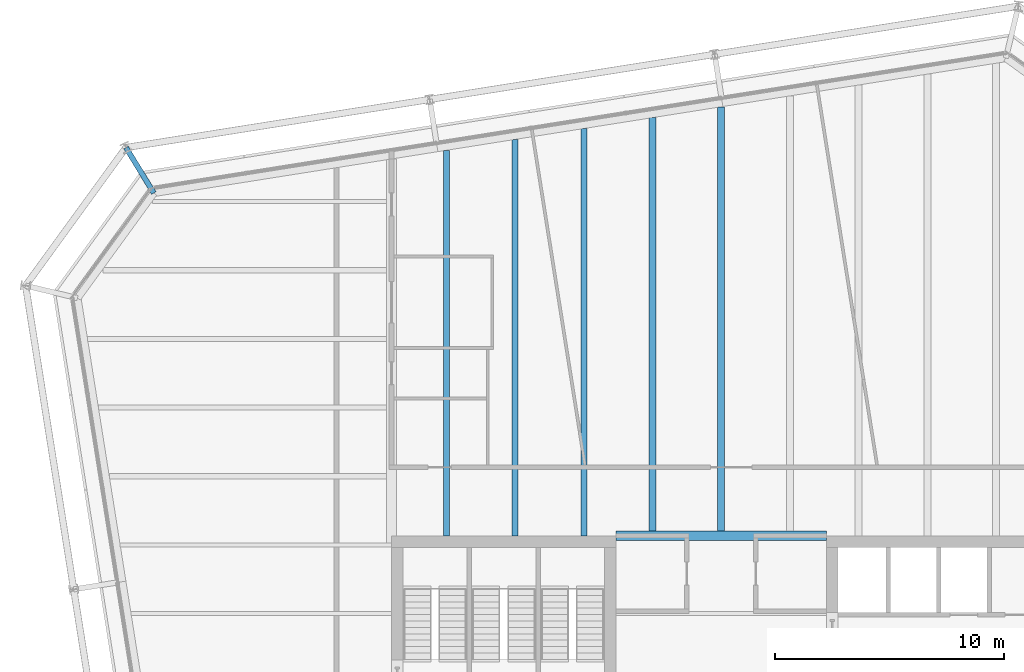
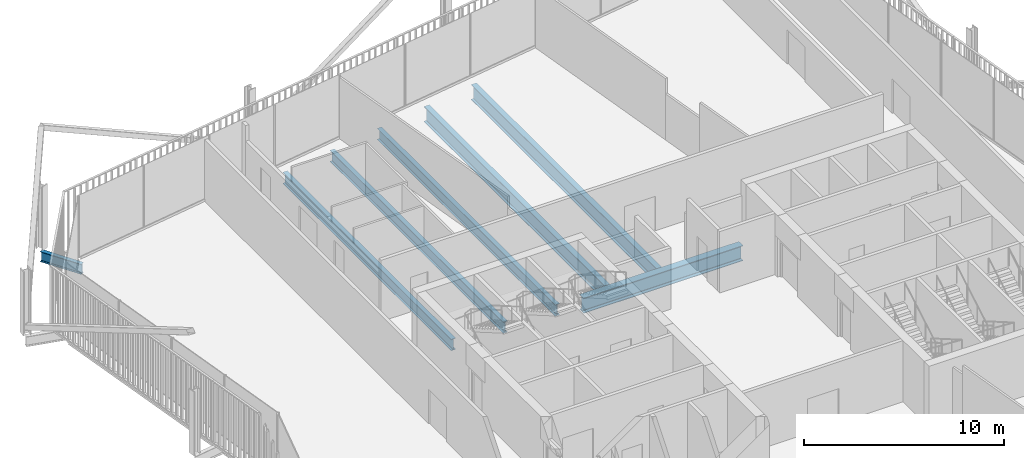
# One storey, part 12 of 21: 7 beams.
"""IFC4 building model written with IfcOpenShell, lengths in metres."""

import ifcopenshell
import ifcopenshell.guid

model = None  # the IFC model being written
_history = None  # IfcOwnerHistory: only IFC2X3 demands one
_inside = {}  # id of a spatial element -> (the spatial element, [elements in it])
_under = {}  # id of a project, library or spatial element -> (it, [spatial elements below it])
_declared = {}  # id of a project -> (the project, [libraries it declares])
_typed = {}  # id of a type object -> (the type object, [elements of that type])
_made_of = {}  # id of a material, layer set ... -> (it, [elements and type objects made of it])


def new_model(schema):
    """Start an empty IFC model of exactly this schema.

    Asked for "IFC4X3", IfcOpenShell would pick the latest addendum, in which some entities
    have other attributes; the version numbers below select the first issue.
    IFC2X3 requires an IfcOwnerHistory on every rooted entity: one is made here for all.
    """
    global model, _history
    if schema == "IFC4X3":
        model = ifcopenshell.file(schema_version=(4, 3, 0, 0))
    else:
        model = ifcopenshell.file(schema=schema)
    _inside.clear()
    _under.clear()
    _declared.clear()
    _typed.clear()
    _made_of.clear()
    _history = None
    if model.schema == "IFC2X3":
        org = make("IfcOrganization", Name="unknown")
        user = make(
            "IfcPersonAndOrganization",
            ThePerson=make("IfcPerson", FamilyName="unknown"),
            TheOrganization=org,
        )
        app = make(
            "IfcApplication",
            ApplicationDeveloper=org,
            Version="unknown",
            ApplicationFullName="unknown",
            ApplicationIdentifier="unknown",
        )
        _history = make(
            "IfcOwnerHistory",
            OwningUser=user,
            OwningApplication=app,
            ChangeAction="ADDED",
            CreationDate=0,
        )
    return model


def make(cls, **values):
    """One entity of the class cls with the attributes given. An attribute that is None is left unset."""
    return model.create_entity(
        cls, **{name: value for name, value in values.items() if value is not None}
    )


def rooted(cls, **values):
    """An entity with a GlobalId (a new one), such as an element, a storey or a relation."""
    return make(cls, GlobalId=ifcopenshell.guid.new(), OwnerHistory=_history, **values)


def si_unit(unit_type, name, prefix=None):
    """IfcSIUnit, for example si_unit("LENGTHUNIT", "METRE", prefix="MILLI")."""
    return make("IfcSIUnit", UnitType=unit_type, Prefix=prefix, Name=name)


def assignment(units):
    """IfcUnitAssignment: the units of a project."""
    return None if units is None else make("IfcUnitAssignment", Units=units)


def point(xyz):
    """IfcCartesianPoint."""
    return None if xyz is None else make("IfcCartesianPoint", Coordinates=xyz)


def direction(xyz):
    """IfcDirection."""
    return None if xyz is None else make("IfcDirection", DirectionRatios=xyz)


def frame(location, z_axis=None, x_axis=None):
    """IfcAxis2Placement3D, a coordinate frame: its origin and axes. An axis left out is left unset."""
    return make(
        "IfcAxis2Placement3D",
        Location=point(location),
        Axis=direction(z_axis),
        RefDirection=direction(x_axis),
    )


def frame_2d(location, x_axis=None):
    """IfcAxis2Placement2D, a coordinate frame in the plane: its origin and x axis."""
    return make(
        "IfcAxis2Placement2D", Location=point(location), RefDirection=direction(x_axis)
    )


def origin():
    """The frame at (0, 0, 0) with its axes left unset."""
    return frame((0.0, 0.0, 0.0))


def origin_2d():
    """The frame at (0, 0) in the plane with its x axis left unset."""
    return frame_2d((0.0, 0.0))


def place(relative_to, where):
    """IfcLocalPlacement: puts the frame where relative to a parent placement (None: the world)."""
    return make(
        "IfcLocalPlacement", PlacementRelTo=relative_to, RelativePlacement=where
    )


def context(
    kind, dimensions, precision=None, world=None, true_north=None, identifier=None
):
    """IfcGeometricRepresentationContext, for example the 3D "Model" context."""
    return make(
        "IfcGeometricRepresentationContext",
        ContextIdentifier=identifier,
        ContextType=kind,
        CoordinateSpaceDimension=dimensions,
        Precision=precision,
        WorldCoordinateSystem=world,
        TrueNorth=true_north,
    )


def subcontext(parent, identifier, kind, view, scale=None):
    """IfcGeometricRepresentationSubContext, for example "Body" below "Model"."""
    return make(
        "IfcGeometricRepresentationSubContext",
        ContextIdentifier=identifier,
        ContextType=kind,
        ParentContext=parent,
        TargetScale=scale,
        TargetView=view,
    )


def project(units=None, contexts=None):
    """IfcProject with its units and contexts."""
    return rooted(
        "IfcProject",
        Name="project",
        RepresentationContexts=contexts,
        UnitsInContext=assignment(units),
    )


def spatial(cls, under=None, at=None, **own):
    """A site, building, storey or space (cls), placed at a placement, below another one or the project."""
    s = rooted(cls, ObjectPlacement=at, **own)
    if under is not None:
        _under.setdefault(under.id(), (under, []))[1].append(s)
    return s


def profile(cls, at=None, kind="AREA", **sizes):
    """A parametric profile (cls). Its sizes go by their IFC names, for example OverallWidth=200.0."""
    return make(cls, ProfileType=kind, Position=at, **sizes)


def i_section(**sizes):
    """IfcIShapeProfileDef."""
    return profile("IfcIShapeProfileDef", **sizes)


def extrude(swept, where, along, depth):
    """IfcExtrudedAreaSolid: the profile swept, set in the frame where, extruded along a direction by depth."""
    return make(
        "IfcExtrudedAreaSolid",
        SweptArea=swept,
        Position=where,
        ExtrudedDirection=direction(along),
        Depth=depth,
    )


def shape(context_of_items, identifier, shape_type, items):
    """IfcShapeRepresentation: the items that make up one representation, for example the "Body"."""
    return make(
        "IfcShapeRepresentation",
        ContextOfItems=context_of_items,
        RepresentationIdentifier=identifier,
        RepresentationType=shape_type,
        Items=items,
    )


def material(Name=None, Category=None):
    """IfcMaterial."""
    return make("IfcMaterial", Name=Name, Category=Category)


def material_profile(
    of_material, cross_section, Name=None, Category=None, Priority=None
):
    """IfcMaterialProfile: a cross section and its material."""
    return make(
        "IfcMaterialProfile",
        Name=Name,
        Material=of_material,
        Profile=cross_section,
        Priority=Priority,
        Category=Category,
    )


def profile_set(profiles, Name=None, composite=None):
    """IfcMaterialProfileSet."""
    return make(
        "IfcMaterialProfileSet",
        Name=Name,
        MaterialProfiles=profiles,
        CompositeProfile=composite,
    )


def made_of(thing, what):
    """Note that an element or type object is made of a material, layer set ...; save() writes the relation."""
    if what is not None:
        _made_of.setdefault(what.id(), (what, []))[1].append(thing)
    return thing


def type_object(cls, material=None, **own):
    """A type object (cls), such as IfcWallType, which elements share."""
    return made_of(rooted(cls, **own), material)


def element(
    cls,
    number,
    at=None,
    inside=None,
    cuts=None,
    type_object=None,
    material=None,
    context=None,
    identifier="Body",
    shape_type=None,
    held_by="IfcProductDefinitionShape",
    body=None,
    shapes=None,
    **own,
):
    """One element of the class cls, such as IfcWall. Its Tag is "e" and its number.

    at: its placement. inside: the storey or other place that contains it. cuts: it is an
    opening in that element (IfcRelVoidsElement). A single representation is given by context,
    identifier, shape_type and body (its items); several are given by shapes. held_by: the class
    of the entity that holds the representations. save() writes the other relations.
    """
    e = rooted(cls, Tag="e%d" % number, ObjectPlacement=at, **own)
    if body is not None:
        shapes = [shape(context, identifier, shape_type, body)]
    if shapes is not None:
        e.Representation = make(held_by, Representations=shapes)
    if inside is not None:
        _inside.setdefault(inside.id(), (inside, []))[1].append(e)
    if cuts is not None:
        rooted(
            "IfcRelVoidsElement", RelatingBuildingElement=cuts, RelatedOpeningElement=e
        )
    if type_object is not None:
        _typed.setdefault(type_object.id(), (type_object, []))[1].append(e)
    return made_of(e, material)


def aggregate(whole, parts):
    """IfcRelAggregates: a whole, such as a stair, and the parts it consists of."""
    return rooted("IfcRelAggregates", RelatingObject=whole, RelatedObjects=parts)


def save(model, path):
    """Write the relations noted so far, then the file.

    IfcRelAggregates (storeys below a building ...), IfcRelContainedInSpatialStructure (elements
    in a storey), IfcRelDefinesByType, IfcRelAssociatesMaterial and IfcRelDeclares: one each for
    every whole, place, type object, material and project.
    """
    for whole, parts in _under.values():
        aggregate(whole, parts)
    for where, things in _inside.values():
        rooted(
            "IfcRelContainedInSpatialStructure",
            RelatedElements=things,
            RelatingStructure=where,
        )
    for kind, things in _typed.values():
        rooted("IfcRelDefinesByType", RelatedObjects=things, RelatingType=kind)
    for what, things in _made_of.values():
        rooted("IfcRelAssociatesMaterial", RelatedObjects=things, RelatingMaterial=what)
    for by, libraries in _declared.values():
        rooted("IfcRelDeclares", RelatingContext=by, RelatedDefinitions=libraries)
    model.write(path)


model = new_model("IFC4")

# Units and contexts
model_context = context("Model", 3, precision=1e-05, world=origin(), true_north=direction((0.0, 1.0)))
body_context = subcontext(model_context, "Body", "Model", "MODEL_VIEW")
ifc_project = project(units=[si_unit("LENGTHUNIT", "METRE"), si_unit("AREAUNIT", "SQUARE_METRE"), si_unit("VOLUMEUNIT", "CUBIC_METRE"), si_unit("PLANEANGLEUNIT", "RADIAN"), si_unit("MASSUNIT", "GRAM", prefix="KILO")], contexts=[model_context])

# Site, building, storey
site_placement = place(None, origin())
site = spatial("IfcSite", under=ifc_project, at=site_placement, CompositionType="ELEMENT")
building_placement = place(site_placement, origin())
building = spatial("IfcBuilding", under=site, at=building_placement, Name="Millrace Tower", CompositionType="ELEMENT")
storey_placement = place(building_placement, frame((0.0, 0.0, 228.10009765625)))
storey = spatial("IfcBuildingStorey", under=building, at=storey_placement, Name="L52", CompositionType="ELEMENT", Elevation=228.10009765625)

# Beams
ifc_material_1 = material(Name="Steel ASTM A992 Grade 50", Category="steel")
ifc_material_profile_1 = material_profile(ifc_material_1, i_section(OverallWidth=0.256591796875, OverallDepth=0.693359375, WebThickness=0.014404296875, FlangeThickness=0.023681640625, FilletRadius=0.01513671875, at=origin_2d()))
ifc_profile_set_1 = profile_set([ifc_material_profile_1], Name="Steel ASTM A992 Grade 50")
beam_type_1 = type_object("IfcBeamType", Name="Floor beam W27x114", PredefinedType="JOIST", material=ifc_profile_set_1)
beam_1_placement = place(storey_placement, frame((-12.0, 9.39990234375, -0.5068359375), z_axis=(0.0, 1.0, 0.0), x_axis=(-1.0, 0.0, 0.0)))
element("IfcBeam", 1, at=beam_1_placement, inside=storey, type_object=beam_type_1, Name="BM-D-L52-S1-S036", PredefinedType="JOIST", context=body_context, shape_type="SweptSolid", body=[
    extrude(i_section(OverallWidth=0.256591796875, OverallDepth=0.693359375, WebThickness=0.014404296875, FlangeThickness=0.023681640625, FilletRadius=0.01513671875, at=origin_2d()), origin(), (0.0, 0.0, 1.0), 16.8369140625),
])
beam_2_placement = place(storey_placement, frame((-9.0, 9.39990234375, -0.5068359375), z_axis=(0.0, 1.0, 0.0), x_axis=(-1.0, 0.0, 0.0)))
element("IfcBeam", 2, at=beam_2_placement, inside=storey, type_object=beam_type_1, Name="BM-D-L52-S1-S038", PredefinedType="JOIST", context=body_context, shape_type="SweptSolid", body=[
    extrude(i_section(OverallWidth=0.256591796875, OverallDepth=0.693359375, WebThickness=0.014404296875, FlangeThickness=0.023681640625, FilletRadius=0.01513671875, at=origin_2d()), origin(), (0.0, 0.0, 1.0), 17.31201171875),
])
beam_3_placement = place(storey_placement, frame((-6.0, 9.39990234375, -0.5068359375), z_axis=(0.0, 1.0, 0.0), x_axis=(-1.0, 0.0, 0.0)))
element("IfcBeam", 3, at=beam_3_placement, inside=storey, type_object=beam_type_1, Name="BM-D-L52-S1-S040", PredefinedType="JOIST", context=body_context, shape_type="SweptSolid", body=[
    extrude(i_section(OverallWidth=0.256591796875, OverallDepth=0.693359375, WebThickness=0.014404296875, FlangeThickness=0.023681640625, FilletRadius=0.01513671875, at=origin_2d()), origin(), (0.0, 0.0, 1.0), 17.787109375),
])
ifc_material_2 = material(Name="Steel ASTM A992 Grade 50", Category="steel")
ifc_material_profile_2 = material_profile(ifc_material_2, i_section(OverallWidth=0.307373046875, OverallDepth=0.927001953125, WebThickness=0.01953125, FlangeThickness=0.031982421875, FilletRadius=0.01904296875, at=origin_2d()))
ifc_profile_set_2 = profile_set([ifc_material_profile_2], Name="Steel ASTM A992 Grade 50")
beam_type_2 = type_object("IfcBeamType", Name="Floor beam W36x194", PredefinedType="JOIST", material=ifc_profile_set_2)
beam_4_placement = place(storey_placement, frame((-3.0, 9.609619140625, -0.62353515625), z_axis=(0.0, 1.0, 0.0), x_axis=(-1.0, 0.0, 0.0)))
element("IfcBeam", 4, at=beam_4_placement, inside=storey, type_object=beam_type_2, Name="BM-D-L52-S1-S042", PredefinedType="JOIST", context=body_context, shape_type="SweptSolid", body=[
    extrude(i_section(OverallWidth=0.307373046875, OverallDepth=0.927001953125, WebThickness=0.01953125, FlangeThickness=0.031982421875, FilletRadius=0.01904296875, at=origin_2d()), origin(), (0.0, 0.0, 1.0), 18.052490234375),
])
beam_5_placement = place(storey_placement, frame((0.0, 9.609619140625, -0.62353515625), z_axis=(0.0, 1.0, 0.0), x_axis=(-1.0, 0.0, 0.0)))
element("IfcBeam", 5, at=beam_5_placement, inside=storey, type_object=beam_type_2, Name="BM-D-L52-S1-S044", PredefinedType="JOIST", context=body_context, shape_type="SweptSolid", body=[
    extrude(i_section(OverallWidth=0.307373046875, OverallDepth=0.927001953125, WebThickness=0.01953125, FlangeThickness=0.031982421875, FilletRadius=0.01904296875, at=origin_2d()), origin(), (0.0, 0.0, 1.0), 18.527587890625),
])
ifc_material_3 = material(Name="Steel ASTM A992 Grade 50", Category="steel")
ifc_material_profile_3 = material_profile(ifc_material_3, i_section(OverallWidth=0.419189453125, OverallDepth=0.927001953125, WebThickness=0.019287109375, FlangeThickness=0.031982421875, FilletRadius=0.024169921875, at=origin_2d()))
ifc_profile_set_3 = profile_set([ifc_material_profile_3], Name="Steel ASTM A992 Grade 50")
beam_type_3 = type_object("IfcBeamType", Name="Girder short span W36x231", PredefinedType="BEAM", material=ifc_profile_set_3)
beam_6_placement = place(storey_placement, frame((-4.60009765625, 9.39990234375, -0.62353515625), z_axis=(1.0, 0.0, 0.0), x_axis=(0.0, 1.0, 0.0)))
element("IfcBeam", 6, at=beam_6_placement, inside=storey, type_object=beam_type_3, Name="BM-D-L52-S1-G058", PredefinedType="BEAM", context=body_context, shape_type="SweptSolid", body=[
    extrude(i_section(OverallWidth=0.419189453125, OverallDepth=0.927001953125, WebThickness=0.019287109375, FlangeThickness=0.031982421875, FilletRadius=0.024169921875, at=origin_2d()), origin(), (0.0, 0.0, 1.0), 9.2001953125),
])
ifc_material_4 = material(Name="Steel ASTM A992 Grade 50", Category="steel")
ifc_material_profile_4 = material_profile(ifc_material_4, i_section(OverallWidth=0.23046875, OverallDepth=0.6171875, WebThickness=0.01318359375, FlangeThickness=0.022216796875, FilletRadius=0.012939453125, at=origin_2d()))
ifc_profile_set_4 = profile_set([ifc_material_profile_4], Name="Steel ASTM A992 Grade 50")
beam_type_4 = type_object("IfcBeamType", Name="Link beam W24x94", PredefinedType="BEAM", material=ifc_profile_set_4)
beam_7_placement = place(storey_placement, frame((-24.7783203125, 24.368408203125, -0.46875), z_axis=(-0.522512938711, 0.852631355792, 0.0), x_axis=(-0.852631355792, -0.522512938711, 0.0)))
element("IfcBeam", 7, at=beam_7_placement, inside=storey, type_object=beam_type_4, Name="LNK-D-L52-S1-05", PredefinedType="BEAM", context=body_context, shape_type="SweptSolid", body=[
    extrude(i_section(OverallWidth=0.23046875, OverallDepth=0.6171875, WebThickness=0.01318359375, FlangeThickness=0.022216796875, FilletRadius=0.012939453125, at=origin_2d()), origin(), (0.0, 0.0, 1.0), 2.3310546875),
])

save(model, "model.ifc")
